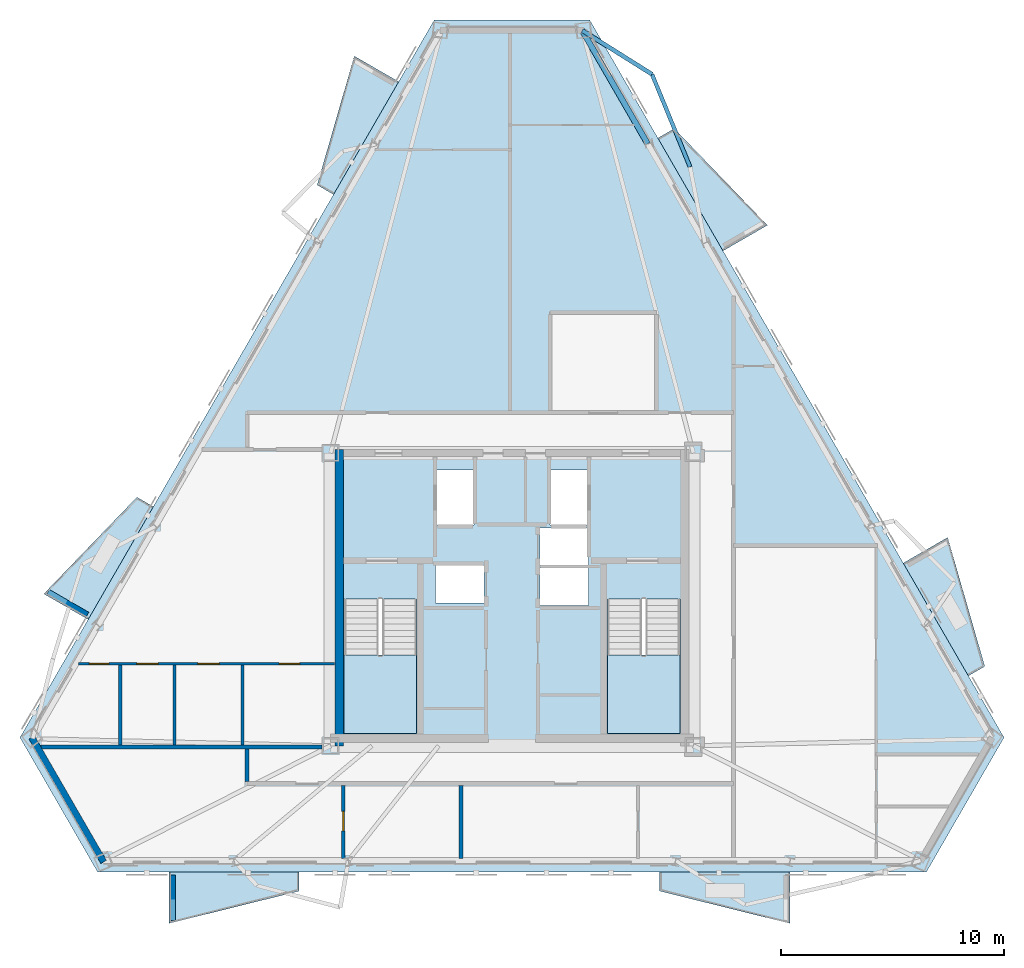
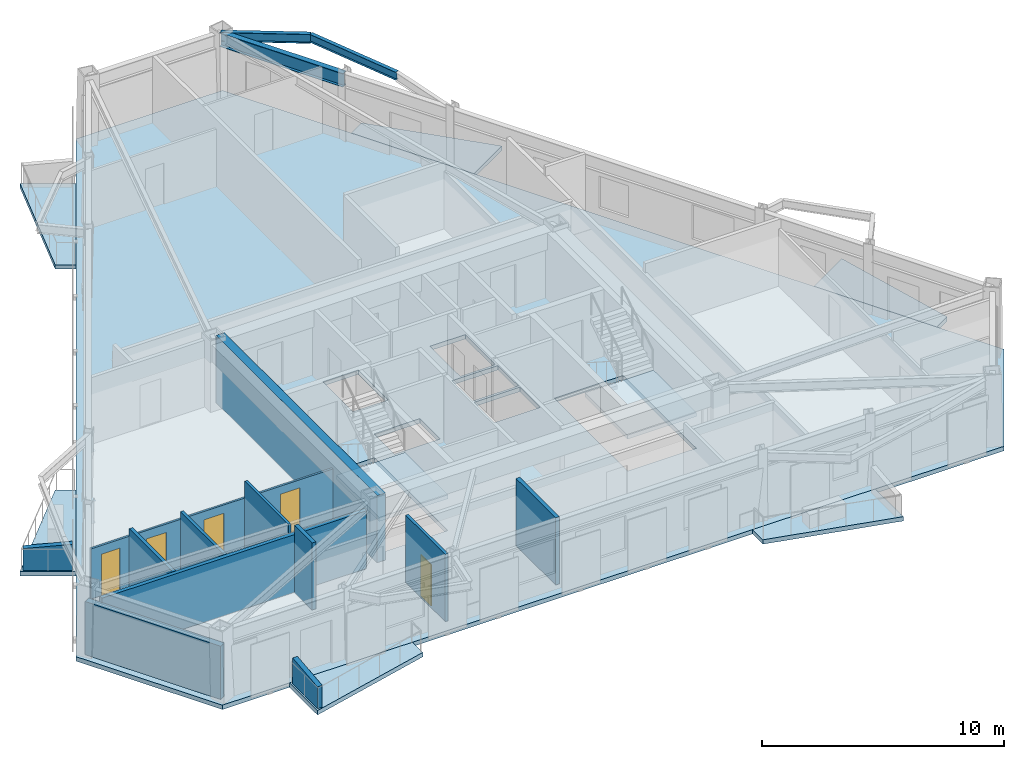
# One storey, part 2 of 9: 12 walls, 9 slabs, 5 doors, 3 beams, 5 openings, 2 elements without a shape of their own.
"""IFC4 building model written with IfcOpenShell, lengths in metres."""

from ifc_helpers import new_model, si_unit, direction, frame, frame_2d, origin, origin_2d, place, context, subcontext, project, spatial, polyline, rectangle, i_section, outline, extrude, material, layer, layer_set, material_profile, profile_set, type_object, element, fill, aggregate, save


model = new_model("IFC4")

# Units and contexts
model_context = context("Model", 3, precision=1e-05, world=origin(), true_north=direction((0.0, 1.0)))
body_context = subcontext(model_context, "Body", "Model", "MODEL_VIEW")
ifc_project = project(units=[si_unit("LENGTHUNIT", "METRE"), si_unit("AREAUNIT", "SQUARE_METRE"), si_unit("VOLUMEUNIT", "CUBIC_METRE"), si_unit("PLANEANGLEUNIT", "RADIAN"), si_unit("MASSUNIT", "GRAM", prefix="KILO")], contexts=[model_context])

# Site, building, storey
site_placement = place(None, origin())
site = spatial("IfcSite", under=ifc_project, at=site_placement, CompositionType="ELEMENT")
building_placement = place(site_placement, origin())
building = spatial("IfcBuilding", under=site, at=building_placement, Name="Oramaril Tower", CompositionType="ELEMENT")
storey_placement = place(building_placement, frame((0.0, 0.0, 223.5)))
storey = spatial("IfcBuildingStorey", under=building, at=storey_placement, Name="L59", CompositionType="ELEMENT", Elevation=223.5)

# Beams
ifc_material_1 = material(Name="Steel ASTM A572 Gr 50", Category="steel")
ifc_material_profile_1 = material_profile(ifc_material_1, i_section(OverallWidth=0.19091796875, OverallDepth=0.45703125, WebThickness=0.009033203125, FlangeThickness=0.014404296875, at=origin_2d()), Name="W18X50")
ifc_profile_set_1 = profile_set([ifc_material_profile_1], Name="Steel ASTM A572 Gr 50")
beam_type_1 = type_object("IfcBeamType", Name="BT-BB1", PredefinedType="BEAM", material=ifc_profile_set_1)
beam_1_placement = place(storey_placement, frame((40.656005859375, 43.135009765625, 3.151611328125), z_axis=(0.846798752878, -0.531913406604, 0.0), x_axis=(0.531913406604, 0.846798752878, 0.0)))
element("IfcBeam", 1, at=beam_1_placement, inside=storey, type_object=beam_type_1, Name="L59 Balcony Column-Framed Cantilever 04.2", PredefinedType="BEAM", context=body_context, shape_type="SweptSolid", body=[
    extrude(i_section(OverallWidth=0.19091796875, OverallDepth=0.45703125, WebThickness=0.009033203125, FlangeThickness=0.014404296875, at=origin_2d()), origin(), (0.0, 0.0, 1.0), 3.699951171875),
])
ifc_material_2 = material(Name="Steel ASTM A572 Gr 50", Category="steel")
ifc_material_profile_2 = material_profile(ifc_material_2, i_section(OverallWidth=0.177978515625, OverallDepth=0.404052734375, WebThickness=0.007568359375, FlangeThickness=0.010986328125, at=origin_2d()), Name="W16X36")
ifc_profile_set_2 = profile_set([ifc_material_profile_2], Name="Steel ASTM A572 Gr 50")
beam_type_2 = type_object("IfcBeamType", Name="BT-SB1", PredefinedType="BEAM", material=ifc_profile_set_2)
beam_2_placement = place(storey_placement, frame((45.49853515625, 37.00341796875, 3.177978515625), z_axis=(-0.379811104954, 0.925064065108, 0.0), x_axis=(-0.925064065108, -0.379811104954, 0.0)))
element("IfcBeam", 2, at=beam_2_placement, inside=storey, type_object=beam_type_2, Name="L59 Balcony Edge Tie Beam 04", PredefinedType="BEAM", context=body_context, shape_type="SweptSolid", body=[
    extrude(i_section(OverallWidth=0.177978515625, OverallDepth=0.404052734375, WebThickness=0.007568359375, FlangeThickness=0.010986328125, at=origin_2d()), origin(), (0.0, 0.0, 1.0), 4.500732421875),
])
ifc_material_3 = material(Name="Steel ASTM A572 Gr 50", Category="steel")
ifc_material_profile_3 = material_profile(ifc_material_3, i_section(OverallWidth=0.257080078125, OverallDepth=0.693115234375, WebThickness=0.014404296875, FlangeThickness=0.023681640625, at=origin_2d()), Name="W27X114")
ifc_profile_set_3 = profile_set([ifc_material_profile_3], Name="Steel ASTM A572 Gr 50")
beam_type_3 = type_object("IfcBeamType", Name="BT-SP4", PredefinedType="SPANDREL", material=ifc_profile_set_3)
beam_3_placement = place(storey_placement, frame((43.59521484375, 38.0439453125, 3.033447265625), z_axis=(-0.499984888139, 0.866034128446, 0.0), x_axis=(-0.866034128446, -0.499984888139, 0.0)))
element("IfcBeam", 3, at=beam_3_placement, inside=storey, type_object=beam_type_3, Name="L59 Perimeter Spandrel 12", PredefinedType="SPANDREL", context=body_context, shape_type="SweptSolid", body=[
    extrude(i_section(OverallWidth=0.257080078125, OverallDepth=0.693115234375, WebThickness=0.014404296875, FlangeThickness=0.023681640625, at=origin_2d()), origin(), (0.0, 0.0, 1.0), 5.878662109375),
])

# Slabs
ifc_material_4 = material(Name="Concrete C40/50", Category="concrete")
ifc_layer_1 = layer(ifc_material_4, 0.199951171875)
ifc_layer_set_1 = layer_set([ifc_layer_1], Name="SLT-BAL20")
slab_type_1 = type_object("IfcSlabType", Name="SLT-BAL20", PredefinedType="FLOOR", material=ifc_layer_set_1)
slab_1_placement = place(storey_placement, frame((0.0, 0.0, -0.219970703125)))
element("IfcSlab", 4, at=slab_1_placement, inside=storey, type_object=slab_type_1, Name="L59 Cantilevered Balcony Slab L59-BAL-S1", PredefinedType="FLOOR", context=body_context, shape_type="SweptSolid", body=[
    extrude(outline(polyline([(22.09033203125, 5.325927734375), (27.9404296875, 5.325927734375), (27.9404296875, 4.47412109375), (22.09033203125, 3.02392578125), (22.09033203125, 5.325927734375)])), origin(), (0.0, 0.0, 1.0), 0.219970703125),
])
slab_2_placement = place(storey_placement, frame((0.0, 0.0, -0.219970703125)))
element("IfcSlab", 5, at=slab_2_placement, inside=storey, type_object=slab_type_1, Name="L59 Cantilevered Balcony Slab L59-BAL-NE2", PredefinedType="FLOOR", context=body_context, shape_type="SweptSolid", body=[
    extrude(outline(polyline([(46.977294921875, 33.232666015625), (44.052490234375, 38.299072265625), (44.790283203125, 38.72509765625), (48.970947265625, 34.3837890625), (46.977294921875, 33.232666015625)])), origin(), (0.0, 0.0, 1.0), 0.219970703125),
])
slab_3_placement = place(storey_placement, frame((0.0, 0.0, -0.219970703125)))
element("IfcSlab", 6, at=slab_3_placement, inside=storey, type_object=slab_type_1, Name="L59 Cantilevered Balcony Slab L59-BAL-NW1", PredefinedType="FLOOR", context=body_context, shape_type="SweptSolid", body=[
    extrude(outline(polyline([(32.41015625, 40.83203125), (29.485107421875, 35.765869140625), (28.747314453125, 36.19189453125), (30.41650390625, 41.983154296875), (32.41015625, 40.83203125)])), origin(), (0.0, 0.0, 1.0), 0.219970703125),
])
ifc_material_5 = material(Name="Concrete C50/60", Category="concrete")
ifc_layer_2 = layer(ifc_material_5, 0.219970703125)
ifc_layer_set_2 = layer_set([ifc_layer_2], Name="SLT-FLR22")
slab_type_2 = type_object("IfcSlabType", Name="SLT-FLR22", PredefinedType="FLOOR", material=ifc_layer_set_2)
slab_4_placement = place(storey_placement, frame((0.0, 0.0, -0.219970703125)))
element("IfcSlab", 7, at=slab_4_placement, inside=storey, type_object=slab_type_2, Name="L59 Structural Floor Slab", PredefinedType="FLOOR", context=body_context, shape_type="SweptSolid", body=[
    extrude(outline(polyline([(15.398681640625, 11.37158203125), (18.890380859375, 5.323974609375), (56.109619140625, 5.323974609375), (59.601318359375, 11.37158203125), (40.99169921875, 43.6044921875), (34.00830078125, 43.6044921875), (15.398681640625, 11.37158203125)]), holes=[polyline([(29.949951171875, 17.58935546875), (29.949951171875, 11.550048828125), (33.219970703125, 11.550048828125), (33.219970703125, 17.58935546875), (29.949951171875, 17.58935546875)]), polyline([(41.780029296875, 17.58935546875), (41.780029296875, 11.550048828125), (45.050048828125, 11.550048828125), (45.050048828125, 17.58935546875), (41.780029296875, 17.58935546875)]), polyline([(34.110107421875, 20.909912109375), (35.7900390625, 20.909912109375), (35.7900390625, 23.389892578125), (34.110107421875, 23.389892578125), (34.110107421875, 20.909912109375)]), polyline([(39.2099609375, 20.909912109375), (40.889892578125, 20.909912109375), (40.889892578125, 23.389892578125), (39.2099609375, 23.389892578125), (39.2099609375, 20.909912109375)]), polyline([(34.06005859375, 17.409912109375), (36.239990234375, 17.409912109375), (36.239990234375, 19.090087890625), (34.06005859375, 19.090087890625), (34.06005859375, 17.409912109375)]), polyline([(38.760009765625, 17.31005859375), (40.93994140625, 17.31005859375), (40.93994140625, 18.989990234375), (38.760009765625, 18.989990234375), (38.760009765625, 17.31005859375)]), polyline([(38.760009765625, 19.110107421875), (40.93994140625, 19.110107421875), (40.93994140625, 20.7900390625), (38.760009765625, 20.7900390625), (38.760009765625, 19.110107421875)])]), origin(), (0.0, 0.0, 1.0), 0.219970703125),
])

# Stair, slab
ifc_material_6 = material(Name="Concrete C50/60", Category="concrete")
stair_type = type_object("IfcStairType", Name="STT-DG-3600", PredefinedType="HALF_TURN_STAIR", material=ifc_material_6)
stair_1_placement = place(storey_placement, origin())
stair_1 = element("IfcStair", 8, at=stair_1_placement, inside=storey, type_object=stair_type, Name="L59 Protected PFP Exit Stair ST-1", PredefinedType="HALF_TURN_STAIR")
ifc_material_7 = material(Name="Concrete C50/60", Category="concrete")
ifc_layer_3 = layer(ifc_material_7, 0.199951171875)
ifc_layer_set_3 = layer_set([ifc_layer_3], Name="SLT-LND20")
slab_type_3 = type_object("IfcSlabType", Name="SLT-LND20", PredefinedType="LANDING", material=ifc_layer_set_3)
slab_5_placement = place(storey_placement, frame((0.0, 0.0, 1.60009765625)))
slab_5 = element("IfcSlab", 9, at=slab_5_placement, type_object=slab_type_3, Name="ST-1 landing 1", PredefinedType="LANDING", context=body_context, shape_type="SweptSolid", body=[
    extrude(outline(polyline([(29.949951171875, 15.070068359375), (29.949951171875, 11.550048828125), (33.219970703125, 11.550048828125), (33.219970703125, 15.070068359375), (29.949951171875, 15.070068359375)])), origin(), (0.0, 0.0, 1.0), 0.199951171875),
])
aggregate(stair_1, [slab_5])

stair_2_placement = place(storey_placement, origin())
stair_2 = element("IfcStair", 10, at=stair_2_placement, inside=storey, type_object=stair_type, Name="L59 Protected PFP Exit Stair ST-2", PredefinedType="HALF_TURN_STAIR")
slab_6_placement = place(storey_placement, frame((0.0, 0.0, 1.60009765625)))
slab_6 = element("IfcSlab", 11, at=slab_6_placement, type_object=slab_type_3, Name="ST-2 landing 1", PredefinedType="LANDING", context=body_context, shape_type="SweptSolid", body=[
    extrude(outline(polyline([(41.780029296875, 15.070068359375), (41.780029296875, 11.550048828125), (45.050048828125, 11.550048828125), (45.050048828125, 15.070068359375), (41.780029296875, 15.070068359375)])), origin(), (0.0, 0.0, 1.0), 0.199951171875),
])
aggregate(stair_2, [slab_6])

# Slabs
ifc_material_8 = material(Name="Concrete C40/50", Category="concrete")
ifc_layer_4 = layer(ifc_material_8, 0.18994140625)
ifc_layer_set_4 = layer_set([ifc_layer_4], Name="SLT-PLN19")
slab_type_4 = type_object("IfcSlabType", Name="SLT-PLN19", PredefinedType="FLOOR", material=ifc_layer_set_4)
slab_7_placement = place(storey_placement, frame((0.0, 0.0, -0.219970703125)))
element("IfcSlab", 12, at=slab_7_placement, inside=storey, type_object=slab_type_4, Name="L59 Tree Planter Balcony Slab L59-BAL-S2", PredefinedType="FLOOR", context=body_context, shape_type="SweptSolid", body=[
    extrude(outline(polyline([(44.134521484375, 5.325927734375), (49.984619140625, 5.325927734375), (49.984619140625, 3.02392578125), (44.134521484375, 4.47412109375), (44.134521484375, 5.325927734375)])), origin(), (0.0, 0.0, 1.0), 0.219970703125),
])
slab_8_placement = place(storey_placement, frame((0.0, 0.0, -0.219970703125)))
element("IfcSlab", 13, at=slab_8_placement, inside=storey, type_object=slab_type_4, Name="L59 Tree Planter Balcony Slab L59-BAL-NE1", PredefinedType="FLOOR", context=body_context, shape_type="SweptSolid", body=[
    extrude(outline(polyline([(57.99951171875, 14.141845703125), (55.074462890625, 19.2080078125), (57.068115234375, 20.359130859375), (58.7373046875, 14.56787109375), (57.99951171875, 14.141845703125)])), origin(), (0.0, 0.0, 1.0), 0.219970703125),
])
slab_9_placement = place(storey_placement, frame((0.0, 0.0, -0.219970703125)))
element("IfcSlab", 14, at=slab_9_placement, inside=storey, type_object=slab_type_4, Name="L59 Tree Planter Balcony Slab L59-BAL-NW2", PredefinedType="FLOOR", context=body_context, shape_type="SweptSolid", body=[
    extrude(outline(polyline([(21.387939453125, 21.7412109375), (18.462890625, 16.675048828125), (16.469482421875, 17.825927734375), (20.650146484375, 22.167236328125), (21.387939453125, 21.7412109375)])), origin(), (0.0, 0.0, 1.0), 0.219970703125),
])

# Walls
ifc_material_9 = material(Name="Warm Cream Limestone", Category="masonry")
ifc_layer_5 = layer(ifc_material_9, 0.2900390625)
ifc_layer_set_5 = layer_set([ifc_layer_5], Name="WT-EXT29")
wall_type_1 = type_object("IfcWallType", Name="WT-EXT29", PredefinedType="SOLIDWALL", material=ifc_layer_set_5)
wall_1_placement = place(storey_placement, frame((15.929931640625, 11.37158203125, 0.0), z_axis=(0.0, 0.0, 1.0), x_axis=(0.500005232821, -0.866022382593, 0.0)))
element("IfcWall", 15, at=wall_1_placement, inside=storey, type_object=wall_type_1, Name="L59 Tower Limestone Facade Wall 1M", PredefinedType="SOLIDWALL", context=body_context, shape_type="SweptSolid", body=[
    extrude(rectangle(XDim=6.4521484375, YDim=0.2900390625, at=frame_2d((3.22607421875, 0.0))), origin(), (0.0, 0.0, 1.0), 2.677001953125),
])
ifc_material_10 = material(Name="Concrete C40/50", Category="concrete")
ifc_layer_6 = layer(ifc_material_10, 0.22998046875)
ifc_layer_set_6 = layer_set([ifc_layer_6], Name="WT-PRP23")
wall_type_2 = type_object("IfcWallType", Name="WT-PRP23", PredefinedType="PARAPET", material=ifc_layer_set_6)
for number, where, z_axis, x_axis, name in (
    (16, (22.2705078125, 5.18603515625, 0.0), (0.0, 0.0, 1.0), (0.0, -1.0, 0.0), "L59 Trapezoidal Balcony Frame Cheek L59-BAL-S1-L"),
    (17, (18.431884765625, 16.90087890625, 0.0), (0.0, 0.0, 1.0), (-0.866042246008, 0.499970827278, 0.0), "L59 Trapezoidal Balcony Frame Cheek L59-BAL-NW2-R"),
):
    element("IfcWall", number, at=place(storey_placement, frame(where, z_axis=z_axis, x_axis=x_axis)), inside=storey, type_object=wall_type_2, Name=name, PredefinedType="PARAPET", context=body_context, shape_type="SweptSolid", body=[
        extrude(outline(polyline([(0.0, 0.0), (2.0419921875, 0.0), (2.0419921875, 1.10009765625), (0.0, 1.320068359375), (0.0, 0.0)])), frame((0.0, 0.114990234375, 0.0), z_axis=(0.0, -1.0, 0.0), x_axis=(1.0, 0.0, 0.0)), (0.0, 0.0, 1.0), 0.22998046875),
    ])

# Wall, openings, doors
ifc_material_11 = material(Name="Acoustic Gypsum Board Partition")
ifc_layer_7 = layer(ifc_material_11, 0.10009765625)
ifc_layer_set_7 = layer_set([ifc_layer_7], Name="WT-PT10")
wall_type_3 = type_object("IfcWallType", Name="WT-PT10", PredefinedType="PARTITIONING", material=ifc_layer_set_7)
wall_2_placement = place(storey_placement, frame((18.017822265625, 14.68994140625, 0.0), z_axis=(0.0, 0.0, 1.0), x_axis=(1.0, 0.0, 0.0)))
wall_2 = element("IfcWall", 18, at=wall_2_placement, inside=storey, type_object=wall_type_3, Name="L59 Interior Partition PT-10", PredefinedType="PARTITIONING", context=body_context, shape_type="SweptSolid", body=[
    extrude(rectangle(XDim=11.51806640625, YDim=0.10009765625, at=frame_2d((5.759033203125, 0.0))), origin(), (0.0, 0.0, 1.0), 2.52001953125),
])
opening_1_placement = place(wall_2_placement, frame((0.493408203125, 0.0, 0.0)))
opening_1 = element("IfcOpeningElement", 19, at=opening_1_placement, cuts=wall_2, Name="Opening D-L59-03", PredefinedType="OPENING", context=body_context, shape_type="SweptSolid", body=[
    extrude(rectangle(XDim=0.8798828125, YDim=2.080078125, at=frame_2d((0.43994140625, 1.0400390625))), frame((0.0, 0.050048828125, 0.0), z_axis=(0.0, -1.0, 0.0), x_axis=(1.0, 0.0, 0.0)), (0.0, 0.0, 1.0), 0.10009765625),
])
opening_2_placement = place(wall_2_placement, frame((2.634033203125, 0.0, 0.0)))
opening_2 = element("IfcOpeningElement", 20, at=opening_2_placement, cuts=wall_2, Name="Opening D-L59-04", PredefinedType="OPENING", context=body_context, shape_type="SweptSolid", body=[
    extrude(rectangle(XDim=0.949951171875, YDim=2.10009765625, at=frame_2d((0.47509765625, 1.050048828125))), frame((0.0, 0.050048828125, 0.0), z_axis=(0.0, -1.0, 0.0), x_axis=(1.0, 0.0, 0.0)), (0.0, 0.0, 1.0), 0.10009765625),
])
opening_3_placement = place(wall_2_placement, frame((5.375732421875, 0.0, 0.0)))
opening_3 = element("IfcOpeningElement", 21, at=opening_3_placement, cuts=wall_2, Name="Opening D-L59-05", PredefinedType="OPENING", context=body_context, shape_type="SweptSolid", body=[
    extrude(rectangle(XDim=0.949951171875, YDim=2.10009765625, at=frame_2d((0.47509765625, 1.050048828125))), frame((0.0, 0.050048828125, 0.0), z_axis=(0.0, -1.0, 0.0), x_axis=(1.0, 0.0, 0.0)), (0.0, 0.0, 1.0), 0.10009765625),
])
opening_4_placement = place(wall_2_placement, frame((9.0244140625, 0.0, 0.0)))
opening_4 = element("IfcOpeningElement", 22, at=opening_4_placement, cuts=wall_2, Name="Opening D-L59-06", PredefinedType="OPENING", context=body_context, shape_type="SweptSolid", body=[
    extrude(rectangle(XDim=0.919921875, YDim=2.1201171875, at=frame_2d((0.4599609375, 1.06005859375))), frame((0.0, 0.050048828125, 0.0), z_axis=(0.0, -1.0, 0.0), x_axis=(1.0, 0.0, 0.0)), (0.0, 0.0, 1.0), 0.10009765625),
])
ifc_material_12 = material(Name="FSC Brazilian Freijo Hardwood", Category="wood")
door_type_1 = type_object("IfcDoorType", Name="DT-BATH", OperationType="NOTDEFINED", PredefinedType="DOOR", material=ifc_material_12)
door_1_placement = place(opening_1_placement, origin())
door_1 = element("IfcDoor", 23, at=door_1_placement, inside=storey, type_object=door_type_1, Name="L59 Flat L59-U3 Bathroom Door D-L59-03", OperationType="SINGLE_SWING_LEFT", OverallHeight=2.080078125, OverallWidth=0.8798828125, PredefinedType="DOOR", context=body_context, shape_type="SweptSolid", body=[
    extrude(rectangle(XDim=0.8798828125, YDim=2.080078125, at=frame_2d((0.43994140625, 1.0400390625))), frame((0.0, 0.02490234375, 0.0), z_axis=(0.0, -1.0, 0.0), x_axis=(1.0, 0.0, 0.0)), (0.0, 0.0, 1.0), 0.050048828125),
])
fill(opening_1, door_1)
ifc_material_13 = material(Name="FSC Brazilian Freijo Hardwood", Category="wood")
door_type_2 = type_object("IfcDoorType", Name="DT-BED", OperationType="NOTDEFINED", PredefinedType="DOOR", material=ifc_material_13)
door_2_placement = place(opening_4_placement, origin())
door_2 = element("IfcDoor", 24, at=door_2_placement, inside=storey, type_object=door_type_2, Name="L59 Flat L59-U3 Master Bedroom Door D-L59-06", OperationType="SINGLE_SWING_RIGHT", OverallHeight=2.1201171875, OverallWidth=0.919921875, PredefinedType="DOOR", context=body_context, shape_type="SweptSolid", body=[
    extrude(rectangle(XDim=0.919921875, YDim=2.1201171875, at=frame_2d((0.4599609375, 1.06005859375))), frame((0.0, 0.02490234375, 0.0), z_axis=(0.0, -1.0, 0.0), x_axis=(1.0, 0.0, 0.0)), (0.0, 0.0, 1.0), 0.050048828125),
])
fill(opening_4, door_2)
ifc_material_14 = material(Name="FSC Brazilian Freijo Hardwood", Category="wood")
door_type_3 = type_object("IfcDoorType", Name="DT-STDY", OperationType="NOTDEFINED", PredefinedType="DOOR", material=ifc_material_14)
door_3_placement = place(opening_2_placement, origin())
door_3 = element("IfcDoor", 25, at=door_3_placement, inside=storey, type_object=door_type_3, Name="L59 Flat L59-U3 Kitchen Door D-L59-04", OperationType="SINGLE_SWING_RIGHT", OverallHeight=2.10009765625, OverallWidth=0.949951171875, PredefinedType="DOOR", context=body_context, shape_type="SweptSolid", body=[
    extrude(rectangle(XDim=0.949951171875, YDim=2.10009765625, at=frame_2d((0.47509765625, 1.050048828125))), frame((0.0, 0.02490234375, 0.0), z_axis=(0.0, -1.0, 0.0), x_axis=(1.0, 0.0, 0.0)), (0.0, 0.0, 1.0), 0.050048828125),
])
fill(opening_2, door_3)
door_4_placement = place(opening_3_placement, origin())
door_4 = element("IfcDoor", 26, at=door_4_placement, inside=storey, type_object=door_type_3, Name="L59 Flat L59-U3 Home Office Door D-L59-05", OperationType="SINGLE_SWING_LEFT", OverallHeight=2.10009765625, OverallWidth=0.949951171875, PredefinedType="DOOR", context=body_context, shape_type="SweptSolid", body=[
    extrude(rectangle(XDim=0.949951171875, YDim=2.10009765625, at=frame_2d((0.47509765625, 1.050048828125))), frame((0.0, 0.02490234375, 0.0), z_axis=(0.0, -1.0, 0.0), x_axis=(1.0, 0.0, 0.0)), (0.0, 0.0, 1.0), 0.050048828125),
])
fill(opening_3, door_4)

# Walls
ifc_material_15 = material(Name="Acoustic Gypsum Board Partition")
ifc_layer_8 = layer(ifc_material_15, 0.1201171875)
ifc_layer_set_8 = layer_set([ifc_layer_8], Name="WT-PT12")
wall_type_4 = type_object("IfcWallType", Name="WT-PT12", PredefinedType="PARTITIONING", material=ifc_layer_set_8)
wall_3_placement = place(storey_placement, frame((25.389892578125, 11.0439453125, 0.0), z_axis=(0.0, 0.0, 1.0), x_axis=(0.0, 1.0, 0.0)))
element("IfcWall", 27, at=wall_3_placement, inside=storey, type_object=wall_type_4, Name="L59 Interior Partition PT-12", PredefinedType="PARTITIONING", context=body_context, shape_type="SweptSolid", body=[
    extrude(rectangle(XDim=3.592041015625, YDim=0.1201171875, at=frame_2d((1.7958984375, 0.0))), origin(), (0.0, 0.0, 1.0), 3.3798828125),
])
ifc_material_16 = material(Name="Acoustic Gypsum Board Partition")
ifc_layer_9 = layer(ifc_material_16, 0.139892578125)
ifc_layer_set_9 = layer_set([ifc_layer_9], Name="WT-PT14")
wall_type_5 = type_object("IfcWallType", Name="WT-PT14", PredefinedType="PARTITIONING", material=ifc_layer_set_9)
wall_4_placement = place(storey_placement, frame((22.340087890625, 11.0439453125, 0.0), z_axis=(0.0, 0.0, 1.0), x_axis=(0.0, 1.0, 0.0)))
element("IfcWall", 28, at=wall_4_placement, inside=storey, type_object=wall_type_5, Name="L59 Interior Partition PT-14", PredefinedType="PARTITIONING", context=body_context, shape_type="SweptSolid", body=[
    extrude(rectangle(XDim=3.592041015625, YDim=0.139892578125, at=frame_2d((1.7958984375, 0.0))), origin(), (0.0, 0.0, 1.0), 2.9130859375),
])

# Wall, opening, door
wall_5_placement = place(storey_placement, frame((29.919921875, 5.93310546875, 0.0), z_axis=(0.0, 0.0, 1.0), x_axis=(0.0, 1.0, 0.0)))
wall_5 = element("IfcWall", 29, at=wall_5_placement, inside=storey, type_object=wall_type_5, Name="L59 Interior Partition PT-14", PredefinedType="PARTITIONING", context=body_context, shape_type="SweptSolid", body=[
    extrude(rectangle(XDim=3.27294921875, YDim=0.139892578125, at=frame_2d((1.636474609375, 0.0))), origin(), (0.0, 0.0, 1.0), 3.3798828125),
])
opening_5_placement = place(wall_5_placement, frame((1.243896484375, 0.0, 0.0)))
opening_5 = element("IfcOpeningElement", 30, at=opening_5_placement, cuts=wall_5, Name="Opening D-L59-14", PredefinedType="OPENING", context=body_context, shape_type="SweptSolid", body=[
    extrude(rectangle(XDim=0.8798828125, YDim=2.080078125, at=frame_2d((0.43994140625, 1.0400390625))), frame((0.0, 0.06982421875, 0.0), z_axis=(0.0, -1.0, 0.0), x_axis=(1.0, 0.0, 0.0)), (0.0, 0.0, 1.0), 0.139892578125),
])
door_5_placement = place(opening_5_placement, origin())
door_5 = element("IfcDoor", 31, at=door_5_placement, inside=storey, type_object=door_type_1, Name="L59 Flat L59-U1 Bathroom Door D-L59-14", OperationType="SINGLE_SWING_RIGHT", OverallHeight=2.080078125, OverallWidth=0.8798828125, PredefinedType="DOOR", context=body_context, shape_type="SweptSolid", body=[
    extrude(rectangle(XDim=0.8798828125, YDim=2.080078125, at=frame_2d((0.43994140625, 1.0400390625))), frame((0.0, 0.02490234375, 0.0), z_axis=(0.0, -1.0, 0.0), x_axis=(1.0, 0.0, 0.0)), (0.0, 0.0, 1.0), 0.050048828125),
])
fill(opening_5, door_5)

# Walls
ifc_material_17 = material(Name="Acoustic Gypsum Board Partition")
ifc_layer_10 = layer(ifc_material_17, 0.159912109375)
ifc_layer_set_10 = layer_set([ifc_layer_10], Name="WT-PT16")
wall_type_6 = type_object("IfcWallType", Name="WT-PT16", PredefinedType="PARTITIONING", material=ifc_layer_set_10)
wall_6_placement = place(storey_placement, frame((19.909912109375, 11.0439453125, 0.0), z_axis=(0.0, 0.0, 1.0), x_axis=(0.0, 1.0, 0.0)))
element("IfcWall", 32, at=wall_6_placement, inside=storey, type_object=wall_type_6, Name="L59 Interior Partition PT-16", PredefinedType="PARTITIONING", context=body_context, shape_type="SweptSolid", body=[
    extrude(rectangle(XDim=3.592041015625, YDim=0.159912109375, at=frame_2d((1.7958984375, 0.0))), origin(), (0.0, 0.0, 1.0), 2.9130859375),
])
ifc_material_18 = material(Name="Autoclaved Cellular Concrete Block", Category="concrete")
ifc_layer_11 = layer(ifc_material_18, 0.179931640625)
ifc_layer_set_11 = layer_set([ifc_layer_11], Name="WT-PT18")
wall_type_7 = type_object("IfcWallType", Name="WT-PT18", PredefinedType="PARTITIONING", material=ifc_layer_set_11)
wall_7_placement = place(storey_placement, frame((16.345458984375, 10.949951171875, 0.0), z_axis=(0.0, 0.0, 1.0), x_axis=(1.0, 0.0, 0.0)))
element("IfcWall", 33, at=wall_7_placement, inside=storey, type_object=wall_type_7, Name="L59 Interior Partition PT-18", PredefinedType="PARTITIONING", context=body_context, shape_type="SweptSolid", body=[
    extrude(rectangle(XDim=12.614501953125, YDim=0.179931640625, at=frame_2d((6.30712890625, 0.0))), origin(), (0.0, 0.0, 1.0), 2.9130859375),
])
wall_8_placement = place(storey_placement, frame((25.60009765625, 9.39404296875, 0.0), z_axis=(0.0, 0.0, 1.0), x_axis=(0.0, 1.0, 0.0)))
element("IfcWall", 34, at=wall_8_placement, inside=storey, type_object=wall_type_7, Name="L59 Interior Partition PT-18", PredefinedType="PARTITIONING", context=body_context, shape_type="SweptSolid", body=[
    extrude(rectangle(XDim=1.4619140625, YDim=0.179931640625, at=frame_2d((0.73095703125, 0.0))), origin(), (0.0, 0.0, 1.0), 3.3798828125),
])
wall_9_placement = place(storey_placement, frame((35.199951171875, 5.93310546875, 0.0), z_axis=(0.0, 0.0, 1.0), x_axis=(0.0, 1.0, 0.0)))
element("IfcWall", 35, at=wall_9_placement, inside=storey, type_object=wall_type_7, Name="L59 Interior Partition PT-18", PredefinedType="PARTITIONING", context=body_context, shape_type="SweptSolid", body=[
    extrude(rectangle(XDim=3.27294921875, YDim=0.179931640625, at=frame_2d((1.636474609375, 0.0))), origin(), (0.0, 0.0, 1.0), 3.3798828125),
])
ifc_material_19 = material(Name="Concrete C50/60", Category="concrete")
ifc_layer_12 = layer(ifc_material_19, 0.39990234375)
ifc_layer_set_12 = layer_set([ifc_layer_12], Name="WT-SH40")
wall_type_8 = type_object("IfcWallType", Name="WT-SH40", PredefinedType="SHEAR", material=ifc_layer_set_12)
wall_10_placement = place(storey_placement, frame((29.739990234375, 11.0, 0.0), z_axis=(0.0, 0.0, 1.0), x_axis=(0.0, 1.0, 0.0)))
element("IfcWall", 36, at=wall_10_placement, inside=storey, type_object=wall_type_8, Name="L59 Core Shear Wall CW-W", PredefinedType="SHEAR", context=body_context, shape_type="SweptSolid", body=[
    extrude(rectangle(XDim=13.300048828125, YDim=0.39990234375, at=frame_2d((6.64990234375, 0.0))), origin(), (0.0, 0.0, 1.0), 3.3798828125),
])

save(model, "model.ifc")
